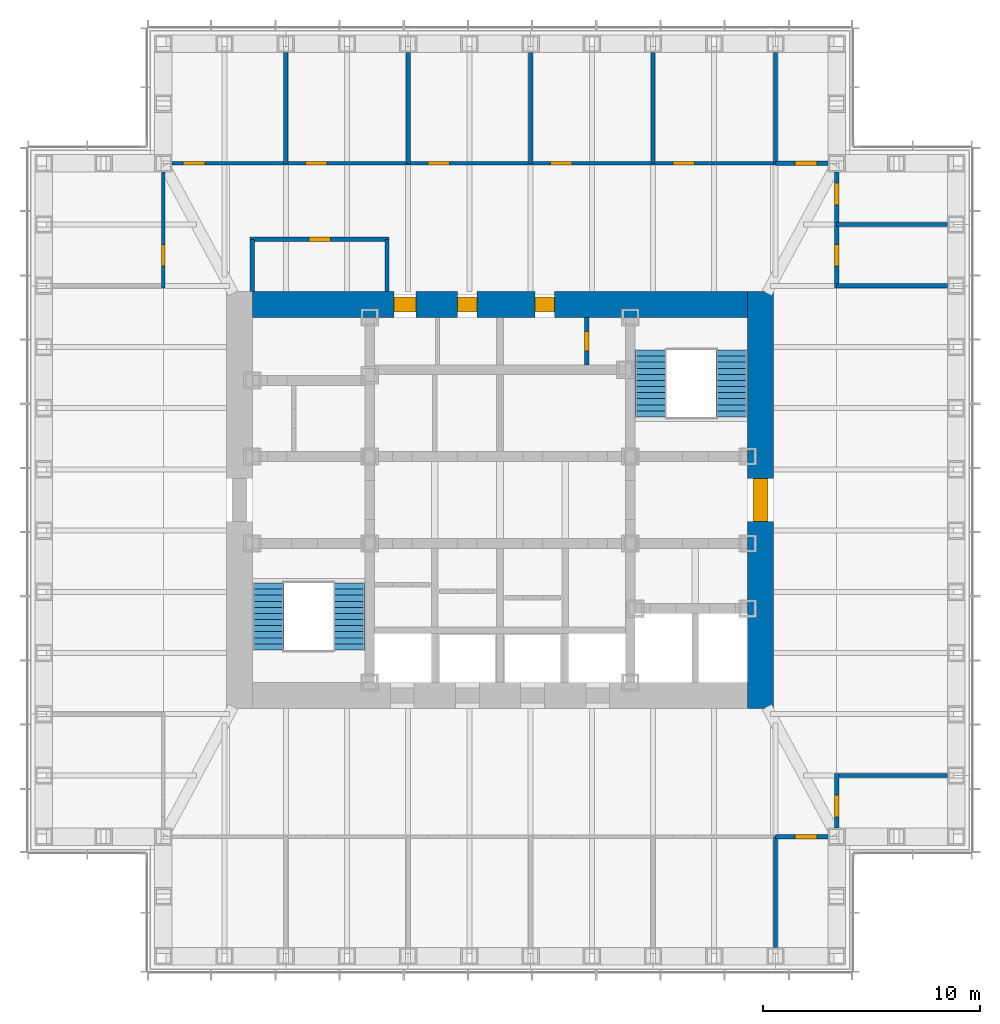
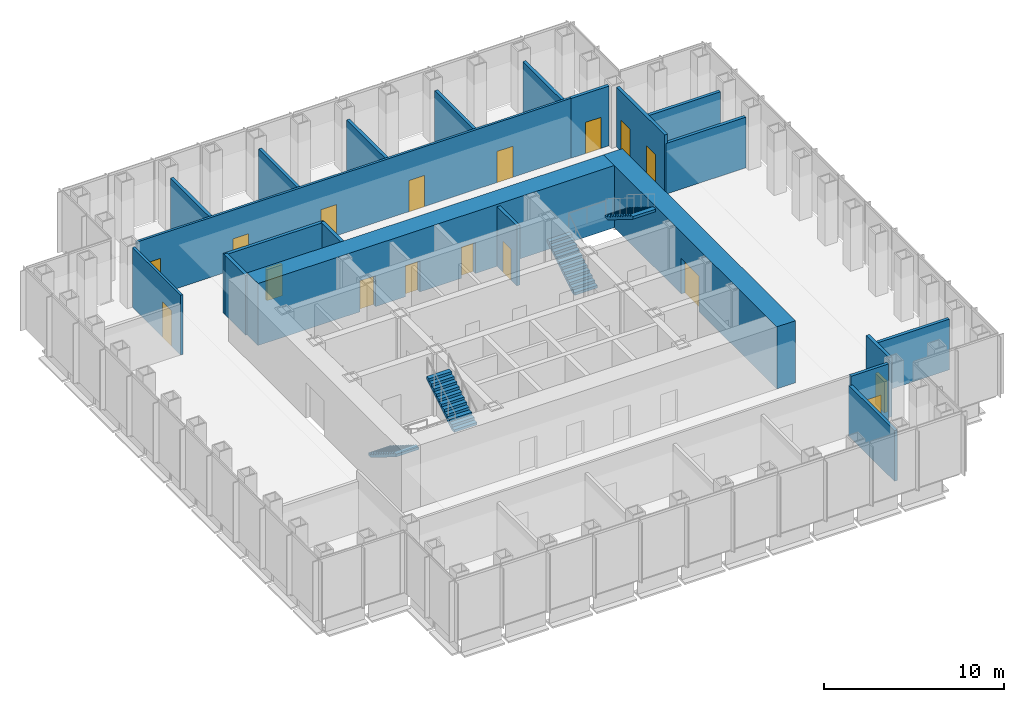
# One storey, part 10 of 16: 21 walls, 17 doors, 4 stair flights, 17 openings, 2 elements without a shape of their own.
"""IFC4 building model written with IfcOpenShell, lengths in metres."""

from ifc_helpers import new_model, si_unit, direction, frame, frame_2d, origin, place, context, subcontext, project, spatial, polyline, rectangle, outline, extrude, material, layer, layer_set, type_object, element, fill, aggregate, save


model = new_model("IFC4")

# Units and contexts
model_context = context("Model", 3, precision=1e-05, world=origin(), true_north=direction((0.0, 1.0)))
body_context = subcontext(model_context, "Body", "Model", "MODEL_VIEW")
ifc_project = project(units=[si_unit("LENGTHUNIT", "METRE"), si_unit("AREAUNIT", "SQUARE_METRE"), si_unit("VOLUMEUNIT", "CUBIC_METRE"), si_unit("PLANEANGLEUNIT", "RADIAN"), si_unit("MASSUNIT", "GRAM", prefix="KILO")], contexts=[model_context])

# Site, building, storey
site_placement = place(None, origin())
site = spatial("IfcSite", under=ifc_project, at=site_placement, CompositionType="ELEMENT")
building_placement = place(site_placement, origin())
building = spatial("IfcBuilding", under=site, at=building_placement, Name="Daluyong Arena Tower", CompositionType="ELEMENT")
storey_placement = place(building_placement, frame((0.0, 0.0, 227.5)))
storey = spatial("IfcBuildingStorey", under=building, at=storey_placement, Name="L51", CompositionType="ELEMENT", Elevation=227.5)

# Wall, opening, door
ifc_material_1 = material(Name="Concrete fc' 60 MPa", Category="concrete")
ifc_layer_1 = layer(ifc_material_1, 1.199951171875)
ifc_layer_set_1 = layer_set([ifc_layer_1], Name="Concrete fc' 60 MPa")
wall_type_1 = type_object("IfcWallType", Name="Core wall 1200", PredefinedType="SHEAR", material=ifc_layer_set_1)
wall_1_placement = place(storey_placement, frame((68.0, 70.39990234375, 0.0), z_axis=(0.0, 0.0, 1.0), x_axis=(0.0, 1.0, 0.0)))
wall_1 = element("IfcWall", 1, at=wall_1_placement, inside=storey, type_object=wall_type_1, Name="core wall at L51", PredefinedType="SHEAR", context=body_context, shape_type="SweptSolid", body=[
    extrude(rectangle(XDim=19.2001953125, YDim=1.199951171875, at=frame_2d((9.60009765625, 0.0))), origin(), (0.0, 0.0, 1.0), 4.199951171875),
])
opening_1_placement = place(wall_1_placement, frame((8.60009765625, 0.0, 0.0)))
opening_1 = element("IfcOpeningElement", 2, at=opening_1_placement, cuts=wall_1, Name="Opening 51022", PredefinedType="OPENING", context=body_context, shape_type="SweptSolid", body=[
    extrude(rectangle(XDim=2.0, YDim=2.39990234375, at=frame_2d((1.0, 1.199951171875))), frame((0.0, 0.60986328125, 0.0), z_axis=(0.0, -1.0, 0.0), x_axis=(1.0, 0.0, 0.0)), (0.0, 0.0, 1.0), 1.219970703125),
])
ifc_material_2 = material(Name="Steel door, fire rated", Category="steel")
door_type_1 = type_object("IfcDoorType", Name="Core lobby double door 2000", OperationType="DOUBLE_DOOR_SINGLE_SWING", PredefinedType="DOOR", material=ifc_material_2)
door_1_placement = place(opening_1_placement, origin())
door_1 = element("IfcDoor", 3, at=door_1_placement, inside=storey, type_object=door_type_1, Name="core lobby door east 51022", OperationType="DOUBLE_DOOR_SINGLE_SWING", OverallHeight=2.39990234375, OverallWidth=2.0, PredefinedType="DOOR", context=body_context, shape_type="SweptSolid", body=[
    extrude(rectangle(XDim=2.0, YDim=2.39990234375, at=frame_2d((1.0, 1.199951171875))), frame((0.0, 0.35009765625, 0.0), z_axis=(0.0, -1.0, 0.0), x_axis=(1.0, 0.0, 0.0)), (0.0, 0.0, 1.0), 0.699951171875),
])
fill(opening_1, door_1)

# Wall, openings, doors
wall_2_placement = place(storey_placement, frame((44.60009765625, 89.0, 0.0), z_axis=(0.0, 0.0, 1.0), x_axis=(1.0, 0.0, 0.0)))
wall_2 = element("IfcWall", 4, at=wall_2_placement, inside=storey, type_object=wall_type_1, Name="core wall at L51", PredefinedType="SHEAR", context=body_context, shape_type="SweptSolid", body=[
    extrude(rectangle(XDim=22.7998046875, YDim=1.199951171875, at=frame_2d((11.39990234375, 0.0))), origin(), (0.0, 0.0, 1.0), 4.199951171875),
])
opening_2_placement = place(wall_2_placement, frame((6.52490234375, 0.0, 0.0)))
opening_2 = element("IfcOpeningElement", 5, at=opening_2_placement, cuts=wall_2, Name="Opening 51004", PredefinedType="OPENING", context=body_context, shape_type="SweptSolid", body=[
    extrude(rectangle(XDim=1.0, YDim=2.10009765625, at=frame_2d((0.5, 1.050048828125))), frame((0.0, 0.60986328125, 0.0), z_axis=(0.0, -1.0, 0.0), x_axis=(1.0, 0.0, 0.0)), (0.0, 0.0, 1.0), 1.219970703125),
])
opening_3_placement = place(wall_2_placement, frame((9.449951171875, 0.0, 0.0)))
opening_3 = element("IfcOpeningElement", 6, at=opening_3_placement, cuts=wall_2, Name="Opening 51005", PredefinedType="OPENING", context=body_context, shape_type="SweptSolid", body=[
    extrude(rectangle(XDim=0.89990234375, YDim=2.10009765625, at=frame_2d((0.449951171875, 1.050048828125))), frame((0.0, 0.60986328125, 0.0), z_axis=(0.0, -1.0, 0.0), x_axis=(1.0, 0.0, 0.0)), (0.0, 0.0, 1.0), 1.219970703125),
])
opening_4_placement = place(wall_2_placement, frame((13.012451171875, 0.0, 0.0)))
opening_4 = element("IfcOpeningElement", 7, at=opening_4_placement, cuts=wall_2, Name="Opening 51006", PredefinedType="OPENING", context=body_context, shape_type="SweptSolid", body=[
    extrude(rectangle(XDim=0.89990234375, YDim=2.10009765625, at=frame_2d((0.449951171875, 1.050048828125))), frame((0.0, 0.60986328125, 0.0), z_axis=(0.0, -1.0, 0.0), x_axis=(1.0, 0.0, 0.0)), (0.0, 0.0, 1.0), 1.219970703125),
])
ifc_material_3 = material(Name="Timber door", Category="wood")
door_type_2 = type_object("IfcDoorType", Name="Accessible toilet door 1000", OperationType="SINGLE_SWING_LEFT", PredefinedType="DOOR", material=ifc_material_3)
door_2_placement = place(opening_2_placement, origin())
door_2 = element("IfcDoor", 8, at=door_2_placement, inside=storey, type_object=door_type_2, Name="accessible toilet door 51004", OperationType="SINGLE_SWING_LEFT", OverallHeight=2.10009765625, OverallWidth=1.0, PredefinedType="DOOR", context=body_context, shape_type="SweptSolid", body=[
    extrude(rectangle(XDim=1.0, YDim=2.10009765625, at=frame_2d((0.5, 1.050048828125))), frame((0.0, 0.35009765625, 0.0), z_axis=(0.0, -1.0, 0.0), x_axis=(1.0, 0.0, 0.0)), (0.0, 0.0, 1.0), 0.699951171875),
])
fill(opening_2, door_2)
ifc_material_4 = material(Name="Steel door, fire rated", Category="steel")
door_type_3 = type_object("IfcDoorType", Name="Core room door 900", OperationType="SINGLE_SWING_LEFT", PredefinedType="DOOR", material=ifc_material_4)
door_3_placement = place(opening_4_placement, origin())
door_3 = element("IfcDoor", 9, at=door_3_placement, inside=storey, type_object=door_type_3, Name="parcel room door 51006", OperationType="SINGLE_SWING_LEFT", OverallHeight=2.10009765625, OverallWidth=0.89990234375, PredefinedType="DOOR", context=body_context, shape_type="SweptSolid", body=[
    extrude(rectangle(XDim=0.89990234375, YDim=2.10009765625, at=frame_2d((0.449951171875, 1.050048828125))), frame((0.0, 0.35009765625, 0.0), z_axis=(0.0, -1.0, 0.0), x_axis=(1.0, 0.0, 0.0)), (0.0, 0.0, 1.0), 0.699951171875),
])
fill(opening_4, door_3)
ifc_material_5 = material(Name="Steel door, fire rated", Category="steel")
door_type_4 = type_object("IfcDoorType", Name="Core store door 900", OperationType="SINGLE_SWING_LEFT", PredefinedType="DOOR", material=ifc_material_5)
door_4_placement = place(opening_3_placement, origin())
door_4 = element("IfcDoor", 10, at=door_4_placement, inside=storey, type_object=door_type_4, Name="cleaner's store door 51005", OperationType="SINGLE_SWING_LEFT", OverallHeight=2.10009765625, OverallWidth=0.89990234375, PredefinedType="DOOR", context=body_context, shape_type="SweptSolid", body=[
    extrude(rectangle(XDim=0.89990234375, YDim=2.10009765625, at=frame_2d((0.449951171875, 1.050048828125))), frame((0.0, 0.35009765625, 0.0), z_axis=(0.0, -1.0, 0.0), x_axis=(1.0, 0.0, 0.0)), (0.0, 0.0, 1.0), 0.699951171875),
])
fill(opening_3, door_4)

# Wall, opening, door
ifc_material_6 = material(Name="Concrete block partition, fire rated", Category="concrete")
ifc_layer_2 = layer(ifc_material_6, 0.199951171875)
ifc_layer_set_2 = layer_set([ifc_layer_2], Name="Concrete block partition, fire rated")
wall_type_2 = type_object("IfcWallType", Name="Fire-rated partition 200", PredefinedType="PARTITIONING", material=ifc_layer_set_2)
wall_3_placement = place(storey_placement, frame((60.0, 86.22509765625, 0.0), z_axis=(0.0, 0.0, 1.0), x_axis=(0.0, 1.0, 0.0)))
wall_3 = element("IfcWall", 11, at=wall_3_placement, inside=storey, type_object=wall_type_2, Name="electrical riser enclosure at L51", PredefinedType="PARTITIONING", context=body_context, shape_type="SweptSolid", body=[
    extrude(rectangle(XDim=2.1748046875, YDim=0.199951171875, at=frame_2d((1.08740234375, 0.0))), origin(), (0.0, 0.0, 1.0), 4.0400390625),
])
opening_5_placement = place(wall_3_placement, frame((0.637451171875, 0.0, 0.0)))
opening_5 = element("IfcOpeningElement", 12, at=opening_5_placement, cuts=wall_3, Name="Opening 51007", PredefinedType="OPENING", context=body_context, shape_type="SweptSolid", body=[
    extrude(rectangle(XDim=0.89990234375, YDim=2.10009765625, at=frame_2d((0.449951171875, 1.050048828125))), frame((0.0, 0.10986328125, 0.0), z_axis=(0.0, -1.0, 0.0), x_axis=(1.0, 0.0, 0.0)), (0.0, 0.0, 1.0), 0.219970703125),
])
ifc_material_7 = material(Name="Steel door, fire rated", Category="steel")
door_type_5 = type_object("IfcDoorType", Name="Riser door 900", OperationType="SINGLE_SWING_LEFT", PredefinedType="DOOR", material=ifc_material_7)
door_5_placement = place(opening_5_placement, origin())
door_5 = element("IfcDoor", 13, at=door_5_placement, inside=storey, type_object=door_type_5, Name="riser door 51007", OperationType="SINGLE_SWING_LEFT", OverallHeight=2.10009765625, OverallWidth=0.89990234375, PredefinedType="DOOR", context=body_context, shape_type="SweptSolid", body=[
    extrude(rectangle(XDim=0.89990234375, YDim=2.10009765625, at=frame_2d((0.449951171875, 1.050048828125))), frame((0.0, 0.099609375, 0.0), z_axis=(0.0, -1.0, 0.0), x_axis=(1.0, 0.0, 0.0)), (0.0, 0.0, 1.0), 0.199462890625),
])
fill(opening_5, door_5)

# Wall, openings, doors
ifc_material_8 = material(Name="Glazed aluminium partition", Category="aluminium")
ifc_layer_3 = layer(ifc_material_8, 0.14990234375)
ifc_layer_set_3 = layer_set([ifc_layer_3], Name="Glazed aluminium partition")
wall_type_3 = type_object("IfcWallType", Name="Glazed partition 150", PredefinedType="PARTITIONING", material=ifc_layer_set_3)
wall_4_placement = place(storey_placement, frame((40.89990234375, 95.5, 0.0), z_axis=(0.0, 0.0, 1.0), x_axis=(1.0, 0.0, 0.0)))
wall_4 = element("IfcWall", 14, at=wall_4_placement, inside=storey, type_object=wall_type_3, Name="glazed partition at L51", PredefinedType="PARTITIONING", context=body_context, shape_type="SweptSolid", body=[
    extrude(rectangle(XDim=27.781982421875, YDim=0.14990234375, at=frame_2d((13.89111328125, 0.0))), origin(), (0.0, 0.0, 1.0), 4.0400390625),
])
opening_6_placement = place(wall_4_placement, frame((0.509033203125, 0.0, 0.0)))
opening_6 = element("IfcOpeningElement", 15, at=opening_6_placement, cuts=wall_4, Name="Opening 51041", PredefinedType="OPENING", context=body_context, shape_type="SweptSolid", body=[
    extrude(rectangle(XDim=1.0, YDim=2.39990234375, at=frame_2d((0.5, 1.199951171875))), frame((0.0, 0.0849609375, 0.0), z_axis=(0.0, -1.0, 0.0), x_axis=(1.0, 0.0, 0.0)), (0.0, 0.0, 1.0), 0.169921875),
])
opening_7_placement = place(wall_4_placement, frame((6.1455078125, 0.0, 0.0)))
opening_7 = element("IfcOpeningElement", 16, at=opening_7_placement, cuts=wall_4, Name="Opening 51042", PredefinedType="OPENING", context=body_context, shape_type="SweptSolid", body=[
    extrude(rectangle(XDim=1.0, YDim=2.10009765625, at=frame_2d((0.5, 1.050048828125))), frame((0.0, 0.0849609375, 0.0), z_axis=(0.0, -1.0, 0.0), x_axis=(1.0, 0.0, 0.0)), (0.0, 0.0, 1.0), 0.169921875),
])
opening_8_placement = place(wall_4_placement, frame((11.78173828125, 0.0, 0.0)))
opening_8 = element("IfcOpeningElement", 17, at=opening_8_placement, cuts=wall_4, Name="Opening 51043", PredefinedType="OPENING", context=body_context, shape_type="SweptSolid", body=[
    extrude(rectangle(XDim=1.0, YDim=2.10009765625, at=frame_2d((0.5, 1.050048828125))), frame((0.0, 0.0849609375, 0.0), z_axis=(0.0, -1.0, 0.0), x_axis=(1.0, 0.0, 0.0)), (0.0, 0.0, 1.0), 0.169921875),
])
opening_9_placement = place(wall_4_placement, frame((17.418212890625, 0.0, 0.0)))
opening_9 = element("IfcOpeningElement", 18, at=opening_9_placement, cuts=wall_4, Name="Opening 51044", PredefinedType="OPENING", context=body_context, shape_type="SweptSolid", body=[
    extrude(rectangle(XDim=1.0, YDim=2.10009765625, at=frame_2d((0.5, 1.050048828125))), frame((0.0, 0.0849609375, 0.0), z_axis=(0.0, -1.0, 0.0), x_axis=(1.0, 0.0, 0.0)), (0.0, 0.0, 1.0), 0.169921875),
])
opening_10_placement = place(wall_4_placement, frame((23.054443359375, 0.0, 0.0)))
opening_10 = element("IfcOpeningElement", 19, at=opening_10_placement, cuts=wall_4, Name="Opening 51045", PredefinedType="OPENING", context=body_context, shape_type="SweptSolid", body=[
    extrude(rectangle(XDim=1.0, YDim=2.10009765625, at=frame_2d((0.5, 1.050048828125))), frame((0.0, 0.0849609375, 0.0), z_axis=(0.0, -1.0, 0.0), x_axis=(1.0, 0.0, 0.0)), (0.0, 0.0, 1.0), 0.169921875),
])
ifc_material_9 = material(Name="Glazed aluminium door", Category="aluminium")
door_type_6 = type_object("IfcDoorType", Name="Meeting room glazed door 1000", OperationType="SINGLE_SWING_RIGHT", PredefinedType="DOOR", material=ifc_material_9)
door_6_placement = place(opening_6_placement, origin())
door_6 = element("IfcDoor", 20, at=door_6_placement, inside=storey, type_object=door_type_6, Name="meeting room door 51041", OperationType="SINGLE_SWING_RIGHT", OverallHeight=2.39990234375, OverallWidth=1.0, PredefinedType="DOOR", context=body_context, shape_type="SweptSolid", body=[
    extrude(rectangle(XDim=1.0, YDim=2.39990234375, at=frame_2d((0.5, 1.199951171875))), frame((0.0, 0.07470703125, 0.0), z_axis=(0.0, -1.0, 0.0), x_axis=(1.0, 0.0, 0.0)), (0.0, 0.0, 1.0), 0.1494140625),
])
fill(opening_6, door_6)
ifc_material_10 = material(Name="Timber door", Category="wood")
door_type_7 = type_object("IfcDoorType", Name="Room door 1000", OperationType="SINGLE_SWING_LEFT", PredefinedType="DOOR", material=ifc_material_10)
door_7_placement = place(opening_7_placement, origin())
door_7 = element("IfcDoor", 21, at=door_7_placement, inside=storey, type_object=door_type_7, Name="office door 51042", OperationType="SINGLE_SWING_LEFT", OverallHeight=2.10009765625, OverallWidth=1.0, PredefinedType="DOOR", context=body_context, shape_type="SweptSolid", body=[
    extrude(rectangle(XDim=1.0, YDim=2.10009765625, at=frame_2d((0.5, 1.050048828125))), frame((0.0, 0.07470703125, 0.0), z_axis=(0.0, -1.0, 0.0), x_axis=(1.0, 0.0, 0.0)), (0.0, 0.0, 1.0), 0.1494140625),
])
fill(opening_7, door_7)
door_8_placement = place(opening_8_placement, origin())
door_8 = element("IfcDoor", 22, at=door_8_placement, inside=storey, type_object=door_type_7, Name="office door 51043", OperationType="SINGLE_SWING_LEFT", OverallHeight=2.10009765625, OverallWidth=1.0, PredefinedType="DOOR", context=body_context, shape_type="SweptSolid", body=[
    extrude(rectangle(XDim=1.0, YDim=2.10009765625, at=frame_2d((0.5, 1.050048828125))), frame((0.0, 0.07470703125, 0.0), z_axis=(0.0, -1.0, 0.0), x_axis=(1.0, 0.0, 0.0)), (0.0, 0.0, 1.0), 0.1494140625),
])
fill(opening_8, door_8)
door_9_placement = place(opening_9_placement, origin())
door_9 = element("IfcDoor", 23, at=door_9_placement, inside=storey, type_object=door_type_7, Name="office door 51044", OperationType="SINGLE_SWING_LEFT", OverallHeight=2.10009765625, OverallWidth=1.0, PredefinedType="DOOR", context=body_context, shape_type="SweptSolid", body=[
    extrude(rectangle(XDim=1.0, YDim=2.10009765625, at=frame_2d((0.5, 1.050048828125))), frame((0.0, 0.07470703125, 0.0), z_axis=(0.0, -1.0, 0.0), x_axis=(1.0, 0.0, 0.0)), (0.0, 0.0, 1.0), 0.1494140625),
])
fill(opening_9, door_9)
door_10_placement = place(opening_10_placement, origin())
door_10 = element("IfcDoor", 24, at=door_10_placement, inside=storey, type_object=door_type_7, Name="office door 51045", OperationType="SINGLE_SWING_LEFT", OverallHeight=2.10009765625, OverallWidth=1.0, PredefinedType="DOOR", context=body_context, shape_type="SweptSolid", body=[
    extrude(rectangle(XDim=1.0, YDim=2.10009765625, at=frame_2d((0.5, 1.050048828125))), frame((0.0, 0.07470703125, 0.0), z_axis=(0.0, -1.0, 0.0), x_axis=(1.0, 0.0, 0.0)), (0.0, 0.0, 1.0), 0.1494140625),
])
fill(opening_10, door_10)

# Wall, opening, door
wall_5_placement = place(storey_placement, frame((40.5, 89.763671875, 0.0), z_axis=(0.0, 0.0, 1.0), x_axis=(0.0, 1.0, 0.0)))
wall_5 = element("IfcWall", 25, at=wall_5_placement, inside=storey, type_object=wall_type_3, Name="glazed partition at L51", PredefinedType="PARTITIONING", context=body_context, shape_type="SweptSolid", body=[
    extrude(rectangle(XDim=5.33642578125, YDim=0.14990234375, at=frame_2d((2.668212890625, 0.0))), origin(), (0.0, 0.0, 1.0), 4.0400390625),
])
opening_11_placement = place(wall_5_placement, frame((1.009033203125, 0.0, 0.0)))
opening_11 = element("IfcOpeningElement", 26, at=opening_11_placement, cuts=wall_5, Name="Opening 51048", PredefinedType="OPENING", context=body_context, shape_type="SweptSolid", body=[
    extrude(rectangle(XDim=1.0, YDim=2.39990234375, at=frame_2d((0.5, 1.199951171875))), frame((0.0, 0.0849609375, 0.0), z_axis=(0.0, -1.0, 0.0), x_axis=(1.0, 0.0, 0.0)), (0.0, 0.0, 1.0), 0.169921875),
])
door_11_placement = place(opening_11_placement, origin())
door_11 = element("IfcDoor", 27, at=door_11_placement, inside=storey, type_object=door_type_6, Name="meeting room door 51048", OperationType="SINGLE_SWING_RIGHT", OverallHeight=2.39990234375, OverallWidth=1.0, PredefinedType="DOOR", context=body_context, shape_type="SweptSolid", body=[
    extrude(rectangle(XDim=1.0, YDim=2.39990234375, at=frame_2d((0.5, 1.199951171875))), frame((0.0, 0.07470703125, 0.0), z_axis=(0.0, -1.0, 0.0), x_axis=(1.0, 0.0, 0.0)), (0.0, 0.0, 1.0), 0.1494140625),
])
fill(opening_11, door_11)

# Walls
ifc_material_11 = material(Name="Concrete block partition", Category="concrete")
ifc_layer_4 = layer(ifc_material_11, 0.199951171875)
ifc_layer_set_4 = layer_set([ifc_layer_4], Name="Concrete block partition")
wall_type_4 = type_object("IfcWallType", Name="Partition 200", PredefinedType="PARTITIONING", material=ifc_layer_set_4)
for number, where, z_axis, x_axis, name in (
    (28, (68.681884765625, 59.39990234375, 0.0), (0.0, 0.0, 1.0), (0.0, 1.0, 0.0), "partition at L51"),
    (29, (71.5, 67.318115234375, 0.0), (0.0, 0.0, 1.0), (1.0, 0.0, 0.0), "partition at L51"),
    (30, (71.5, 89.863525390625, 0.0), (0.0, 0.0, 1.0), (1.0, 0.0, 0.0), "partition at L51"),
    (31, (71.5, 92.681884765625, 0.0), (0.0, 0.0, 1.0), (1.0, 0.0, 0.0), "partition at L51"),
    (32, (46.136474609375, 95.5, 0.0), (0.0, 0.0, 1.0), (0.0, 1.0, 0.0), "partition at L51"),
    (33, (51.772705078125, 95.5, 0.0), (0.0, 0.0, 1.0), (0.0, 1.0, 0.0), "partition at L51"),
    (34, (57.4091796875, 95.5, 0.0), (0.0, 0.0, 1.0), (0.0, 1.0, 0.0), "partition at L51"),
    (35, (63.04541015625, 95.5, 0.0), (0.0, 0.0, 1.0), (0.0, 1.0, 0.0), "partition at L51"),
    (36, (68.681884765625, 95.5, 0.0), (0.0, 0.0, 1.0), (0.0, 1.0, 0.0), "partition at L51"),
):
    element("IfcWall", number, at=place(storey_placement, frame(where, z_axis=z_axis, x_axis=x_axis)), inside=storey, type_object=wall_type_4, Name=name, PredefinedType="PARTITIONING", context=body_context, shape_type="SweptSolid", body=[
        extrude(rectangle(XDim=5.10009765625, YDim=0.199951171875, at=frame_2d((2.550048828125, 0.0))), origin(), (0.0, 0.0, 1.0), 3.427978515625),
    ])
for number, where, z_axis, x_axis, name in (
    (37, (44.60009765625, 89.60009765625, 0.0), (0.0, 0.0, 1.0), (0.0, 1.0, 0.0), "partition at L51"),
    (38, (50.800048828125, 89.60009765625, 0.0), (0.0, 0.0, 1.0), (0.0, 1.0, 0.0), "partition at L51"),
):
    element("IfcWall", number, at=place(storey_placement, frame(where, z_axis=z_axis, x_axis=x_axis)), inside=storey, type_object=wall_type_4, Name=name, PredefinedType="PARTITIONING", context=body_context, shape_type="SweptSolid", body=[
        extrude(rectangle(XDim=2.39990234375, YDim=0.199951171875, at=frame_2d((1.199951171875, 0.0))), origin(), (0.0, 0.0, 1.0), 4.0400390625),
    ])

# Wall, opening, door
wall_6_placement = place(storey_placement, frame((68.681884765625, 64.5, 0.0), z_axis=(0.0, 0.0, 1.0), x_axis=(1.0, 0.0, 0.0)))
wall_6 = element("IfcWall", 39, at=wall_6_placement, inside=storey, type_object=wall_type_4, Name="partition at L51", PredefinedType="PARTITIONING", context=body_context, shape_type="SweptSolid", body=[
    extrude(rectangle(XDim=2.418212890625, YDim=0.199951171875, at=frame_2d((1.208984375, 0.0))), origin(), (0.0, 0.0, 1.0), 4.0400390625),
])
opening_12_placement = place(wall_6_placement, frame((0.9091796875, 0.0, 0.0)))
opening_12 = element("IfcOpeningElement", 40, at=opening_12_placement, cuts=wall_6, Name="Opening 51037", PredefinedType="OPENING", context=body_context, shape_type="SweptSolid", body=[
    extrude(rectangle(XDim=1.0, YDim=2.10009765625, at=frame_2d((0.5, 1.050048828125))), frame((0.0, 0.10986328125, 0.0), z_axis=(0.0, -1.0, 0.0), x_axis=(1.0, 0.0, 0.0)), (0.0, 0.0, 1.0), 0.219970703125),
])
door_12_placement = place(opening_12_placement, origin())
door_12 = element("IfcDoor", 41, at=door_12_placement, inside=storey, type_object=door_type_7, Name="wellness room door 51037", OperationType="SINGLE_SWING_LEFT", OverallHeight=2.10009765625, OverallWidth=1.0, PredefinedType="DOOR", context=body_context, shape_type="SweptSolid", body=[
    extrude(rectangle(XDim=1.0, YDim=2.10009765625, at=frame_2d((0.5, 1.050048828125))), frame((0.0, 0.099609375, 0.0), z_axis=(0.0, -1.0, 0.0), x_axis=(1.0, 0.0, 0.0)), (0.0, 0.0, 1.0), 0.199462890625),
])
fill(opening_12, door_12)

wall_7_placement = place(storey_placement, frame((44.5, 92.0, 0.0), z_axis=(0.0, 0.0, 1.0), x_axis=(1.0, 0.0, 0.0)))
wall_7 = element("IfcWall", 42, at=wall_7_placement, inside=storey, type_object=wall_type_4, Name="partition at L51", PredefinedType="PARTITIONING", context=body_context, shape_type="SweptSolid", body=[
    extrude(rectangle(XDim=6.39990234375, YDim=0.199951171875, at=frame_2d((3.199951171875, 0.0))), origin(), (0.0, 0.0, 1.0), 4.0400390625),
])
opening_13_placement = place(wall_7_placement, frame((2.699951171875, 0.0, 0.0)))
opening_13 = element("IfcOpeningElement", 43, at=opening_13_placement, cuts=wall_7, Name="Opening 51049", PredefinedType="OPENING", context=body_context, shape_type="SweptSolid", body=[
    extrude(rectangle(XDim=1.0, YDim=2.10009765625, at=frame_2d((0.5, 1.050048828125))), frame((0.0, 0.10986328125, 0.0), z_axis=(0.0, -1.0, 0.0), x_axis=(1.0, 0.0, 0.0)), (0.0, 0.0, 1.0), 0.219970703125),
])
door_13_placement = place(opening_13_placement, origin())
door_13 = element("IfcDoor", 44, at=door_13_placement, inside=storey, type_object=door_type_7, Name="pantry door 51049", OperationType="SINGLE_SWING_LEFT", OverallHeight=2.10009765625, OverallWidth=1.0, PredefinedType="DOOR", context=body_context, shape_type="SweptSolid", body=[
    extrude(rectangle(XDim=1.0, YDim=2.10009765625, at=frame_2d((0.5, 1.050048828125))), frame((0.0, 0.099609375, 0.0), z_axis=(0.0, -1.0, 0.0), x_axis=(1.0, 0.0, 0.0)), (0.0, 0.0, 1.0), 0.199462890625),
])
fill(opening_13, door_13)

wall_8_placement = place(storey_placement, frame((68.681884765625, 95.5, 0.0), z_axis=(0.0, 0.0, 1.0), x_axis=(1.0, 0.0, 0.0)))
wall_8 = element("IfcWall", 45, at=wall_8_placement, inside=storey, type_object=wall_type_4, Name="partition at L51", PredefinedType="PARTITIONING", context=body_context, shape_type="SweptSolid", body=[
    extrude(rectangle(XDim=2.418212890625, YDim=0.199951171875, at=frame_2d((1.208984375, 0.0))), origin(), (0.0, 0.0, 1.0), 4.0400390625),
])
opening_14_placement = place(wall_8_placement, frame((0.9091796875, 0.0, 0.0)))
opening_14 = element("IfcOpeningElement", 46, at=opening_14_placement, cuts=wall_8, Name="Opening 51046", PredefinedType="OPENING", context=body_context, shape_type="SweptSolid", body=[
    extrude(rectangle(XDim=1.0, YDim=2.10009765625, at=frame_2d((0.5, 1.050048828125))), frame((0.0, 0.10986328125, 0.0), z_axis=(0.0, -1.0, 0.0), x_axis=(1.0, 0.0, 0.0)), (0.0, 0.0, 1.0), 0.219970703125),
])
door_14_placement = place(opening_14_placement, origin())
door_14 = element("IfcDoor", 47, at=door_14_placement, inside=storey, type_object=door_type_7, Name="wellness room door 51046", OperationType="SINGLE_SWING_LEFT", OverallHeight=2.10009765625, OverallWidth=1.0, PredefinedType="DOOR", context=body_context, shape_type="SweptSolid", body=[
    extrude(rectangle(XDim=1.0, YDim=2.10009765625, at=frame_2d((0.5, 1.050048828125))), frame((0.0, 0.099609375, 0.0), z_axis=(0.0, -1.0, 0.0), x_axis=(1.0, 0.0, 0.0)), (0.0, 0.0, 1.0), 0.199462890625),
])
fill(opening_14, door_14)

wall_9_placement = place(storey_placement, frame((71.5, 64.89990234375, 0.0), z_axis=(0.0, 0.0, 1.0), x_axis=(0.0, 1.0, 0.0)))
wall_9 = element("IfcWall", 48, at=wall_9_placement, inside=storey, type_object=wall_type_4, Name="partition at L51", PredefinedType="PARTITIONING", context=body_context, shape_type="SweptSolid", body=[
    extrude(rectangle(XDim=2.518310546875, YDim=0.199951171875, at=frame_2d((1.25927734375, 0.0))), origin(), (0.0, 0.0, 1.0), 4.0400390625),
])
opening_15_placement = place(wall_9_placement, frame((0.509033203125, 0.0, 0.0)))
opening_15 = element("IfcOpeningElement", 49, at=opening_15_placement, cuts=wall_9, Name="Opening 51038", PredefinedType="OPENING", context=body_context, shape_type="SweptSolid", body=[
    extrude(rectangle(XDim=1.0, YDim=2.10009765625, at=frame_2d((0.5, 1.050048828125))), frame((0.0, 0.10986328125, 0.0), z_axis=(0.0, -1.0, 0.0), x_axis=(1.0, 0.0, 0.0)), (0.0, 0.0, 1.0), 0.219970703125),
])
door_15_placement = place(opening_15_placement, origin())
door_15 = element("IfcDoor", 50, at=door_15_placement, inside=storey, type_object=door_type_7, Name="wellness room door 51038", OperationType="SINGLE_SWING_LEFT", OverallHeight=2.10009765625, OverallWidth=1.0, PredefinedType="DOOR", context=body_context, shape_type="SweptSolid", body=[
    extrude(rectangle(XDim=1.0, YDim=2.10009765625, at=frame_2d((0.5, 1.050048828125))), frame((0.0, 0.099609375, 0.0), z_axis=(0.0, -1.0, 0.0), x_axis=(1.0, 0.0, 0.0)), (0.0, 0.0, 1.0), 0.199462890625),
])
fill(opening_15, door_15)

# Wall, openings, doors
wall_10_placement = place(storey_placement, frame((71.5, 89.763671875, 0.0), z_axis=(0.0, 0.0, 1.0), x_axis=(0.0, 1.0, 0.0)))
wall_10 = element("IfcWall", 51, at=wall_10_placement, inside=storey, type_object=wall_type_4, Name="partition at L51", PredefinedType="PARTITIONING", context=body_context, shape_type="SweptSolid", body=[
    extrude(rectangle(XDim=5.33642578125, YDim=0.199951171875, at=frame_2d((2.668212890625, 0.0))), origin(), (0.0, 0.0, 1.0), 4.0400390625),
])
opening_16_placement = place(wall_10_placement, frame((1.009033203125, 0.0, 0.0)))
opening_16 = element("IfcOpeningElement", 52, at=opening_16_placement, cuts=wall_10, Name="Opening 51039", PredefinedType="OPENING", context=body_context, shape_type="SweptSolid", body=[
    extrude(rectangle(XDim=1.0, YDim=2.10009765625, at=frame_2d((0.5, 1.050048828125))), frame((0.0, 0.10986328125, 0.0), z_axis=(0.0, -1.0, 0.0), x_axis=(1.0, 0.0, 0.0)), (0.0, 0.0, 1.0), 0.219970703125),
])
opening_17_placement = place(wall_10_placement, frame((3.827392578125, 0.0, 0.0)))
opening_17 = element("IfcOpeningElement", 53, at=opening_17_placement, cuts=wall_10, Name="Opening 51040", PredefinedType="OPENING", context=body_context, shape_type="SweptSolid", body=[
    extrude(rectangle(XDim=1.0, YDim=2.10009765625, at=frame_2d((0.5, 1.050048828125))), frame((0.0, 0.10986328125, 0.0), z_axis=(0.0, -1.0, 0.0), x_axis=(1.0, 0.0, 0.0)), (0.0, 0.0, 1.0), 0.219970703125),
])
door_16_placement = place(opening_16_placement, origin())
door_16 = element("IfcDoor", 54, at=door_16_placement, inside=storey, type_object=door_type_7, Name="wellness room door 51039", OperationType="SINGLE_SWING_LEFT", OverallHeight=2.10009765625, OverallWidth=1.0, PredefinedType="DOOR", context=body_context, shape_type="SweptSolid", body=[
    extrude(rectangle(XDim=1.0, YDim=2.10009765625, at=frame_2d((0.5, 1.050048828125))), frame((0.0, 0.099609375, 0.0), z_axis=(0.0, -1.0, 0.0), x_axis=(1.0, 0.0, 0.0)), (0.0, 0.0, 1.0), 0.199462890625),
])
fill(opening_16, door_16)
door_17_placement = place(opening_17_placement, origin())
door_17 = element("IfcDoor", 55, at=door_17_placement, inside=storey, type_object=door_type_7, Name="wellness room door 51040", OperationType="SINGLE_SWING_LEFT", OverallHeight=2.10009765625, OverallWidth=1.0, PredefinedType="DOOR", context=body_context, shape_type="SweptSolid", body=[
    extrude(rectangle(XDim=1.0, YDim=2.10009765625, at=frame_2d((0.5, 1.050048828125))), frame((0.0, 0.099609375, 0.0), z_axis=(0.0, -1.0, 0.0), x_axis=(1.0, 0.0, 0.0)), (0.0, 0.0, 1.0), 0.199462890625),
])
fill(opening_17, door_17)

# Stair, stair flights
ifc_material_12 = material(Name="Concrete fc' 35 MPa", Category="concrete")
stair_type = type_object("IfcStairType", Name="Core exit stair", PredefinedType="HALF_TURN_STAIR", material=ifc_material_12)
stair_1_placement = place(storey_placement, origin())
stair_1 = element("IfcStair", 56, at=stair_1_placement, inside=storey, type_object=stair_type, Name="exit stair A L51", PredefinedType="HALF_TURN_STAIR")
ifc_material_13 = material(Name="Concrete fc' 35 MPa", Category="concrete")
stair_flight_type = type_object("IfcStairFlightType", Name="Core stair flight", PredefinedType="STRAIGHT", material=ifc_material_13)
stair_flight_1_placement = place(storey_placement, frame((45.324951171875, 76.175048828125, 0.0), z_axis=(0.0, 0.0, 1.0), x_axis=(0.0, -1.0, 0.0)))
stair_flight_1 = element("IfcStairFlight", 57, at=stair_flight_1_placement, type_object=stair_flight_type, Name="STA flight 1", NumberOfRisers=12, NumberOfTreads=11, PredefinedType="STRAIGHT", RiserHeight=0.175, TreadLength=0.28, context=body_context, shape_type="SweptSolid", body=[
    extrude(outline(polyline([(0.0, 0.0), (0.0, 0.175048828125), (0.280029296875, 0.175048828125), (0.280029296875, 0.35009765625), (0.56005859375, 0.35009765625), (0.56005859375, 0.52490234375), (0.840087890625, 0.52490234375), (0.840087890625, 0.699951171875), (1.1201171875, 0.699951171875), (1.1201171875, 0.875), (1.39990234375, 0.875), (1.39990234375, 1.050048828125), (1.679931640625, 1.050048828125), (1.679931640625, 1.22509765625), (1.9599609375, 1.22509765625), (1.9599609375, 1.39990234375), (2.239990234375, 1.39990234375), (2.239990234375, 1.574951171875), (2.52001953125, 1.574951171875), (2.52001953125, 1.75), (2.800048828125, 1.75), (2.800048828125, 1.925048828125), (3.080078125, 1.925048828125), (3.080078125, 2.10009765625), (3.080078125, 1.748291015625), (0.28271484375, 0.0), (0.0, 0.0)])), frame((0.0, 0.72509765625, 0.0), z_axis=(0.0, -1.0, 0.0), x_axis=(1.0, 0.0, 0.0)), (0.0, 0.0, 1.0), 1.449951171875),
])
stair_flight_2_placement = place(storey_placement, frame((49.050048828125, 73.094970703125, 2.10009765625), z_axis=(0.0, 0.0, 1.0), x_axis=(0.0, 1.0, 0.0)))
stair_flight_2 = element("IfcStairFlight", 58, at=stair_flight_2_placement, type_object=stair_flight_type, Name="STA flight 2", NumberOfRisers=12, NumberOfTreads=11, PredefinedType="STRAIGHT", RiserHeight=0.175, TreadLength=0.28, context=body_context, shape_type="SweptSolid", body=[
    extrude(outline(polyline([(0.0, 0.0), (0.0, 0.175048828125), (0.280029296875, 0.175048828125), (0.280029296875, 0.35009765625), (0.56005859375, 0.35009765625), (0.56005859375, 0.52490234375), (0.840087890625, 0.52490234375), (0.840087890625, 0.699951171875), (1.1201171875, 0.699951171875), (1.1201171875, 0.875), (1.39990234375, 0.875), (1.39990234375, 1.050048828125), (1.679931640625, 1.050048828125), (1.679931640625, 1.22509765625), (1.9599609375, 1.22509765625), (1.9599609375, 1.39990234375), (2.239990234375, 1.39990234375), (2.239990234375, 1.574951171875), (2.52001953125, 1.574951171875), (2.52001953125, 1.75), (2.800048828125, 1.75), (2.800048828125, 1.925048828125), (3.080078125, 1.925048828125), (3.080078125, 2.10009765625), (3.080078125, 1.748291015625), (0.28271484375, 0.0), (0.0, 0.0)])), frame((0.0, 0.72509765625, 0.0), z_axis=(0.0, -1.0, 0.0), x_axis=(1.0, 0.0, 0.0)), (0.0, 0.0, 1.0), 1.449951171875),
])
aggregate(stair_1, [stair_flight_1, stair_flight_2])

stair_2_placement = place(storey_placement, origin())
stair_2 = element("IfcStair", 59, at=stair_2_placement, inside=storey, type_object=stair_type, Name="exit stair B L51", PredefinedType="HALF_TURN_STAIR")
stair_flight_3_placement = place(storey_placement, frame((62.949951171875, 83.824951171875, 0.0), z_axis=(0.0, 0.0, 1.0), x_axis=(0.0, 1.0, 0.0)))
stair_flight_3 = element("IfcStairFlight", 60, at=stair_flight_3_placement, type_object=stair_flight_type, Name="STB flight 1", NumberOfRisers=12, NumberOfTreads=11, PredefinedType="STRAIGHT", RiserHeight=0.175, TreadLength=0.28, context=body_context, shape_type="SweptSolid", body=[
    extrude(outline(polyline([(0.0, 0.0), (0.0, 0.175048828125), (0.280029296875, 0.175048828125), (0.280029296875, 0.35009765625), (0.56005859375, 0.35009765625), (0.56005859375, 0.52490234375), (0.840087890625, 0.52490234375), (0.840087890625, 0.699951171875), (1.1201171875, 0.699951171875), (1.1201171875, 0.875), (1.39990234375, 0.875), (1.39990234375, 1.050048828125), (1.679931640625, 1.050048828125), (1.679931640625, 1.22509765625), (1.9599609375, 1.22509765625), (1.9599609375, 1.39990234375), (2.239990234375, 1.39990234375), (2.239990234375, 1.574951171875), (2.52001953125, 1.574951171875), (2.52001953125, 1.75), (2.800048828125, 1.75), (2.800048828125, 1.925048828125), (3.080078125, 1.925048828125), (3.080078125, 2.10009765625), (3.080078125, 1.748291015625), (0.28271484375, 0.0), (0.0, 0.0)])), frame((0.0, 0.72509765625, 0.0), z_axis=(0.0, -1.0, 0.0), x_axis=(1.0, 0.0, 0.0)), (0.0, 0.0, 1.0), 1.449951171875),
])
stair_flight_4_placement = place(storey_placement, frame((66.675048828125, 86.905029296875, 2.10009765625), z_axis=(0.0, 0.0, 1.0), x_axis=(0.0, -1.0, 0.0)))
stair_flight_4 = element("IfcStairFlight", 61, at=stair_flight_4_placement, type_object=stair_flight_type, Name="STB flight 2", NumberOfRisers=12, NumberOfTreads=11, PredefinedType="STRAIGHT", RiserHeight=0.175, TreadLength=0.28, context=body_context, shape_type="SweptSolid", body=[
    extrude(outline(polyline([(0.0, 0.0), (0.0, 0.175048828125), (0.280029296875, 0.175048828125), (0.280029296875, 0.35009765625), (0.56005859375, 0.35009765625), (0.56005859375, 0.52490234375), (0.840087890625, 0.52490234375), (0.840087890625, 0.699951171875), (1.1201171875, 0.699951171875), (1.1201171875, 0.875), (1.39990234375, 0.875), (1.39990234375, 1.050048828125), (1.679931640625, 1.050048828125), (1.679931640625, 1.22509765625), (1.9599609375, 1.22509765625), (1.9599609375, 1.39990234375), (2.239990234375, 1.39990234375), (2.239990234375, 1.574951171875), (2.52001953125, 1.574951171875), (2.52001953125, 1.75), (2.800048828125, 1.75), (2.800048828125, 1.925048828125), (3.080078125, 1.925048828125), (3.080078125, 2.10009765625), (3.080078125, 1.748291015625), (0.28271484375, 0.0), (0.0, 0.0)])), frame((0.0, 0.72509765625, 0.0), z_axis=(0.0, -1.0, 0.0), x_axis=(1.0, 0.0, 0.0)), (0.0, 0.0, 1.0), 1.449951171875),
])
aggregate(stair_2, [stair_flight_3, stair_flight_4])

save(model, "model.ifc")
